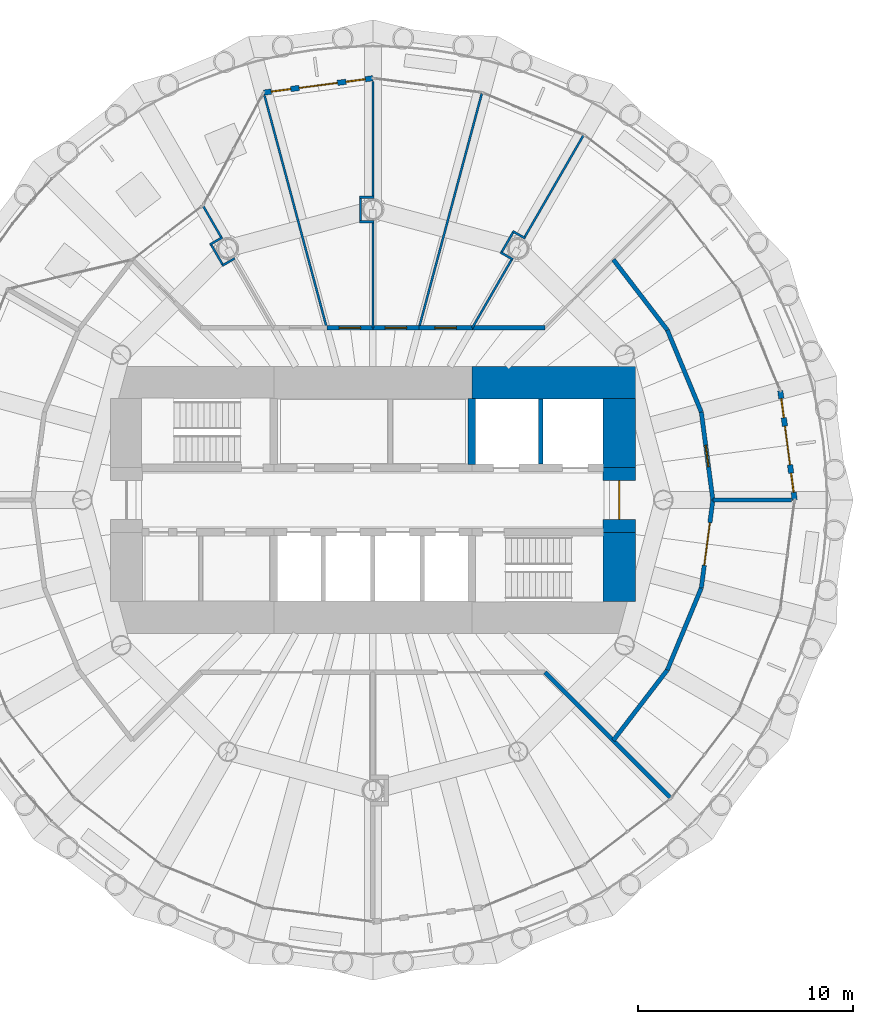
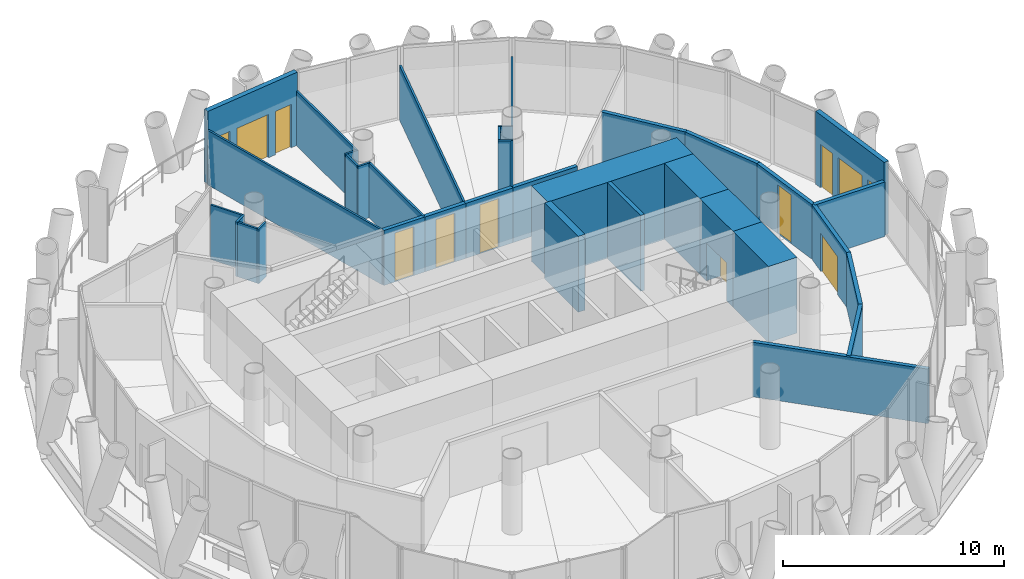
# One storey, part 10 of 14: 36 walls, 8 doors, 4 windows, 12 openings.
"""IFC4 building model written with IfcOpenShell, lengths in metres."""

from ifc_helpers import new_model, si_unit, direction, frame, frame_2d, origin, place, context, subcontext, project, spatial, rectangle, extrude, material, layer, layer_set, type_object, element, fill, save


model = new_model("IFC4")

# Units and contexts
model_context = context("Model", 3, precision=1e-05, world=origin(), true_north=direction((0.0, 1.0)))
body_context = subcontext(model_context, "Body", "Model", "MODEL_VIEW")
ifc_project = project(units=[si_unit("LENGTHUNIT", "METRE"), si_unit("AREAUNIT", "SQUARE_METRE"), si_unit("VOLUMEUNIT", "CUBIC_METRE"), si_unit("PLANEANGLEUNIT", "RADIAN"), si_unit("MASSUNIT", "GRAM", prefix="KILO")], contexts=[model_context])

# Site, building, storey
site_placement = place(None, origin())
site = spatial("IfcSite", under=ifc_project, at=site_placement, CompositionType="ELEMENT")
building_placement = place(site_placement, origin())
building = spatial("IfcBuilding", under=site, at=building_placement, Name="Qaws Media Tower", CompositionType="ELEMENT")
storey_placement = place(building_placement, frame((0.0, 0.0, 261.199951171875)))
storey = spatial("IfcBuildingStorey", under=building, at=storey_placement, Name="L60", CompositionType="ELEMENT", Elevation=261.199951171875)

# Wall, openings, door, windows
ifc_material_1 = material(Name="Precast concrete, exposed finish", Category="concrete")
ifc_layer_1 = layer(ifc_material_1, 0.25)
ifc_layer_set_1 = layer_set([ifc_layer_1], Name="Balcony door wall 250")
wall_type_1 = type_object("IfcWallType", Name="Balcony door wall 250", PredefinedType="SOLIDWALL", material=ifc_layer_set_1)
wall_1_placement = place(storey_placement, frame((79.60009765625, 50.0, 0.0), z_axis=(0.0, 0.0, 1.0), x_axis=(-0.130550788349, 0.991441622922, 0.0)))
wall_1 = element("IfcWall", 1, at=wall_1_placement, inside=storey, type_object=wall_type_1, Name="W279 EW1 balcony door wall L60-01", PredefinedType="SOLIDWALL", context=body_context, shape_type="SweptSolid", body=[
    extrude(rectangle(XDim=5.116455078125, YDim=0.25, at=frame_2d((2.55810546875, 0.0))), origin(), (0.0, 0.0, 1.0), 4.0400390625),
])
opening_1_placement = place(wall_1_placement, frame((1.658203125, 0.0, 0.0)))
opening_1 = element("IfcOpeningElement", 2, at=opening_1_placement, cuts=wall_1, Name="Opening D7", PredefinedType="OPENING", context=body_context, shape_type="SweptSolid", body=[
    extrude(rectangle(XDim=1.800048828125, YDim=2.39990234375, at=frame_2d((0.89990234375, 1.199951171875))), frame((0.0, 0.135009765625, 0.0), z_axis=(0.0, -1.0, 0.0), x_axis=(1.0, 0.0, 0.0)), (0.0, 0.0, 1.0), 0.27001953125),
])
opening_2_placement = place(wall_1_placement, frame((0.3583984375, 0.0, 0.0)))
opening_2 = element("IfcOpeningElement", 3, at=opening_2_placement, cuts=wall_1, Name="Opening W7", PredefinedType="OPENING", context=body_context, shape_type="SweptSolid", body=[
    extrude(rectangle(XDim=0.89990234375, YDim=2.39990234375, at=frame_2d((0.449951171875, 1.199951171875))), frame((0.0, 0.135009765625, 0.0), z_axis=(0.0, -1.0, 0.0), x_axis=(1.0, 0.0, 0.0)), (0.0, 0.0, 1.0), 0.27001953125),
])
opening_3_placement = place(wall_1_placement, frame((3.8583984375, 0.0, 0.0)))
opening_3 = element("IfcOpeningElement", 4, at=opening_3_placement, cuts=wall_1, Name="Opening W7", PredefinedType="OPENING", context=body_context, shape_type="SweptSolid", body=[
    extrude(rectangle(XDim=0.89990234375, YDim=2.39990234375, at=frame_2d((0.449951171875, 1.199951171875))), frame((0.0, 0.135009765625, 0.0), z_axis=(0.0, -1.0, 0.0), x_axis=(1.0, 0.0, 0.0)), (0.0, 0.0, 1.0), 0.27001953125),
])
ifc_material_2 = material(Name="Aluminium and clear glass", Category="aluminium")
door_type_1 = type_object("IfcDoorType", Name="Balcony door pair 1800", OperationType="DOUBLE_DOOR_SLIDING", PredefinedType="DOOR", material=ifc_material_2)
door_1_placement = place(opening_1_placement, origin())
door_1 = element("IfcDoor", 5, at=door_1_placement, inside=storey, type_object=door_type_1, Name="D7 balcony door L60-01 in wall W279", OperationType="DOUBLE_DOOR_SLIDING", OverallHeight=2.39990234375, OverallWidth=1.800048828125, PredefinedType="DOOR", context=body_context, shape_type="SweptSolid", body=[
    extrude(rectangle(XDim=1.800048828125, YDim=2.39990234375, at=frame_2d((0.89990234375, 1.199951171875))), frame((0.0, 0.02490234375, 0.0), z_axis=(0.0, -1.0, 0.0), x_axis=(1.0, 0.0, 0.0)), (0.0, 0.0, 1.0), 0.050048828125),
])
fill(opening_1, door_1)
ifc_material_3 = material(Name="Aluminium and clear glass", Category="aluminium")
window_type = type_object("IfcWindowType", Name="Balcony side window 900", PartitioningType="SINGLE_PANEL", PredefinedType="WINDOW", material=ifc_material_3)
window_1_placement = place(opening_2_placement, origin())
window_1 = element("IfcWindow", 6, at=window_1_placement, inside=storey, type_object=window_type, Name="W1 balcony side light L60-01L", OverallHeight=2.39990234375, OverallWidth=0.89990234375, PartitioningType="SINGLE_PANEL", PredefinedType="WINDOW", context=body_context, shape_type="SweptSolid", body=[
    extrude(rectangle(XDim=0.89990234375, YDim=2.39990234375, at=frame_2d((0.449951171875, 1.199951171875))), frame((0.0, 0.030029296875, 0.0), z_axis=(0.0, -1.0, 0.0), x_axis=(1.0, 0.0, 0.0)), (0.0, 0.0, 1.0), 0.06005859375),
])
fill(opening_2, window_1)
window_2_placement = place(opening_3_placement, origin())
window_2 = element("IfcWindow", 7, at=window_2_placement, inside=storey, type_object=window_type, Name="W1 balcony side light L60-01R", OverallHeight=2.39990234375, OverallWidth=0.89990234375, PartitioningType="SINGLE_PANEL", PredefinedType="WINDOW", context=body_context, shape_type="SweptSolid", body=[
    extrude(rectangle(XDim=0.89990234375, YDim=2.39990234375, at=frame_2d((0.449951171875, 1.199951171875))), frame((0.0, 0.030029296875, 0.0), z_axis=(0.0, -1.0, 0.0), x_axis=(1.0, 0.0, 0.0)), (0.0, 0.0, 1.0), 0.06005859375),
])
fill(opening_3, window_2)

wall_2_placement = place(storey_placement, frame((60.0, 69.60009765625, 0.0), z_axis=(0.0, 0.0, 1.0), x_axis=(-0.991441622922, -0.130550788349, 0.0)))
wall_2 = element("IfcWall", 8, at=wall_2_placement, inside=storey, type_object=wall_type_1, Name="W278 EW1 balcony door wall L60-07", PredefinedType="SOLIDWALL", context=body_context, shape_type="SweptSolid", body=[
    extrude(rectangle(XDim=5.116455078125, YDim=0.25, at=frame_2d((2.55810546875, 0.0))), origin(), (0.0, 0.0, 1.0), 4.0400390625),
])
opening_4_placement = place(wall_2_placement, frame((1.658203125, 0.0, 0.0)))
opening_4 = element("IfcOpeningElement", 9, at=opening_4_placement, cuts=wall_2, Name="Opening D7", PredefinedType="OPENING", context=body_context, shape_type="SweptSolid", body=[
    extrude(rectangle(XDim=1.800048828125, YDim=2.39990234375, at=frame_2d((0.89990234375, 1.199951171875))), frame((0.0, 0.135009765625, 0.0), z_axis=(0.0, -1.0, 0.0), x_axis=(1.0, 0.0, 0.0)), (0.0, 0.0, 1.0), 0.27001953125),
])
opening_5_placement = place(wall_2_placement, frame((0.3583984375, 0.0, 0.0)))
opening_5 = element("IfcOpeningElement", 10, at=opening_5_placement, cuts=wall_2, Name="Opening W7", PredefinedType="OPENING", context=body_context, shape_type="SweptSolid", body=[
    extrude(rectangle(XDim=0.89990234375, YDim=2.39990234375, at=frame_2d((0.449951171875, 1.199951171875))), frame((0.0, 0.135009765625, 0.0), z_axis=(0.0, -1.0, 0.0), x_axis=(1.0, 0.0, 0.0)), (0.0, 0.0, 1.0), 0.27001953125),
])
opening_6_placement = place(wall_2_placement, frame((3.8583984375, 0.0, 0.0)))
opening_6 = element("IfcOpeningElement", 11, at=opening_6_placement, cuts=wall_2, Name="Opening W7", PredefinedType="OPENING", context=body_context, shape_type="SweptSolid", body=[
    extrude(rectangle(XDim=0.89990234375, YDim=2.39990234375, at=frame_2d((0.449951171875, 1.199951171875))), frame((0.0, 0.135009765625, 0.0), z_axis=(0.0, -1.0, 0.0), x_axis=(1.0, 0.0, 0.0)), (0.0, 0.0, 1.0), 0.27001953125),
])
door_2_placement = place(opening_4_placement, origin())
door_2 = element("IfcDoor", 12, at=door_2_placement, inside=storey, type_object=door_type_1, Name="D7 balcony door L60-07 in wall W278", OperationType="DOUBLE_DOOR_SLIDING", OverallHeight=2.39990234375, OverallWidth=1.800048828125, PredefinedType="DOOR", context=body_context, shape_type="SweptSolid", body=[
    extrude(rectangle(XDim=1.800048828125, YDim=2.39990234375, at=frame_2d((0.89990234375, 1.199951171875))), frame((0.0, 0.02490234375, 0.0), z_axis=(0.0, -1.0, 0.0), x_axis=(1.0, 0.0, 0.0)), (0.0, 0.0, 1.0), 0.050048828125),
])
fill(opening_4, door_2)
window_3_placement = place(opening_5_placement, origin())
window_3 = element("IfcWindow", 13, at=window_3_placement, inside=storey, type_object=window_type, Name="W1 balcony side light L60-07L", OverallHeight=2.39990234375, OverallWidth=0.89990234375, PartitioningType="SINGLE_PANEL", PredefinedType="WINDOW", context=body_context, shape_type="SweptSolid", body=[
    extrude(rectangle(XDim=0.89990234375, YDim=2.39990234375, at=frame_2d((0.449951171875, 1.199951171875))), frame((0.0, 0.030029296875, 0.0), z_axis=(0.0, -1.0, 0.0), x_axis=(1.0, 0.0, 0.0)), (0.0, 0.0, 1.0), 0.06005859375),
])
fill(opening_5, window_3)
window_4_placement = place(opening_6_placement, origin())
window_4 = element("IfcWindow", 14, at=window_4_placement, inside=storey, type_object=window_type, Name="W1 balcony side light L60-07R", OverallHeight=2.39990234375, OverallWidth=0.89990234375, PartitioningType="SINGLE_PANEL", PredefinedType="WINDOW", context=body_context, shape_type="SweptSolid", body=[
    extrude(rectangle(XDim=0.89990234375, YDim=2.39990234375, at=frame_2d((0.449951171875, 1.199951171875))), frame((0.0, 0.030029296875, 0.0), z_axis=(0.0, -1.0, 0.0), x_axis=(1.0, 0.0, 0.0)), (0.0, 0.0, 1.0), 0.06005859375),
])
fill(opening_6, window_4)

# Walls
ifc_material_4 = material(Name="Concrete C60/75", Category="concrete")
ifc_layer_2 = layer(ifc_material_4, 0.35009765625)
ifc_layer_set_2 = layer_set([ifc_layer_2], Name="Core inner wall 350")
wall_type_2 = type_object("IfcWallType", Name="Core inner wall 350", PredefinedType="SHEAR", material=ifc_layer_set_2)
wall_3_placement = place(storey_placement, frame((64.60009765625, 51.655029296875, 0.0), z_axis=(0.0, 0.0, 1.0), x_axis=(0.0, 1.0, 0.0)))
element("IfcWall", 15, at=wall_3_placement, inside=storey, type_object=wall_type_2, Name="W309 SW5 core wall XNE L60", PredefinedType="SHEAR", context=body_context, shape_type="SweptSolid", body=[
    extrude(rectangle(XDim=3.06494140625, YDim=0.35009765625, at=frame_2d((1.532470703125, 0.0))), origin(), (0.0, 0.0, 1.0), 4.199951171875),
])
ifc_material_5 = material(Name="Concrete C60/75", Category="concrete")
ifc_layer_3 = layer(ifc_material_5, 1.5)
ifc_layer_set_3 = layer_set([ifc_layer_3], Name="Core wall 1500")
wall_type_3 = type_object("IfcWallType", Name="Core wall 1500", PredefinedType="SHEAR", material=ifc_layer_set_3)
wall_4_placement = place(storey_placement, frame((64.60009765625, 55.449951171875, 0.0), z_axis=(0.0, 0.0, 1.0), x_axis=(1.0, 0.0, 0.0)))
element("IfcWall", 16, at=wall_4_placement, inside=storey, type_object=wall_type_3, Name="W382 SW13 core wall NE L60", PredefinedType="SHEAR", context=body_context, shape_type="SweptSolid", body=[
    extrude(rectangle(XDim=7.599853515625, YDim=1.5, at=frame_2d((3.7998046875, 0.0))), origin(), (0.0, 0.0, 1.0), 4.199951171875),
])
wall_5_placement = place(storey_placement, frame((71.449951171875, 45.280029296875, 0.0), z_axis=(0.0, 0.0, 1.0), x_axis=(0.0, 1.0, 0.0)))
element("IfcWall", 17, at=wall_5_placement, inside=storey, type_object=wall_type_3, Name="W383 SW13 core wall ES L60", PredefinedType="SHEAR", context=body_context, shape_type="SweptSolid", body=[
    extrude(rectangle(XDim=3.219970703125, YDim=1.5, at=frame_2d((1.60986328125, 0.0))), origin(), (0.0, 0.0, 1.0), 4.199951171875),
])

# Wall, opening, door
wall_6_placement = place(storey_placement, frame((71.449951171875, 48.5, 0.0), z_axis=(0.0, 0.0, 1.0), x_axis=(0.0, 1.0, 0.0)))
wall_6 = element("IfcWall", 18, at=wall_6_placement, inside=storey, type_object=wall_type_3, Name="W384 SW13 core wall E L60", PredefinedType="SHEAR", context=body_context, shape_type="SweptSolid", body=[
    extrude(rectangle(XDim=3.0, YDim=1.5, at=frame_2d((1.5, 0.0))), origin(), (0.0, 0.0, 1.0), 4.199951171875),
])
opening_7_placement = place(wall_6_placement, frame((0.60009765625, 0.0, 0.0)))
opening_7 = element("IfcOpeningElement", 19, at=opening_7_placement, cuts=wall_6, Name="Opening D2", PredefinedType="OPENING", context=body_context, shape_type="SweptSolid", body=[
    extrude(rectangle(XDim=1.800048828125, YDim=2.10009765625, at=frame_2d((0.89990234375, 1.050048828125))), frame((0.0, 0.760009765625, 0.0), z_axis=(0.0, -1.0, 0.0), x_axis=(1.0, 0.0, 0.0)), (0.0, 0.0, 1.0), 1.52001953125),
])
ifc_material_6 = material(Name="Steel and glass, fire rated", Category="steel")
door_type_2 = type_object("IfcDoorType", Name="Lobby door pair 1800 FD60", OperationType="DOUBLE_DOOR_DOUBLE_SWING", PredefinedType="DOOR", material=ifc_material_6)
door_3_placement = place(opening_7_placement, origin())
door_3 = element("IfcDoor", 20, at=door_3_placement, inside=storey, type_object=door_type_2, Name="D2 core lobby door E L60 in wall W384", OperationType="DOUBLE_DOOR_DOUBLE_SWING", OverallHeight=2.10009765625, OverallWidth=1.800048828125, PredefinedType="DOOR", context=body_context, shape_type="SweptSolid", body=[
    extrude(rectangle(XDim=1.800048828125, YDim=2.10009765625, at=frame_2d((0.89990234375, 1.050048828125))), frame((0.0, 0.02490234375, 0.0), z_axis=(0.0, -1.0, 0.0), x_axis=(1.0, 0.0, 0.0)), (0.0, 0.0, 1.0), 0.050048828125),
])
fill(opening_7, door_3)

# Walls
wall_7_placement = place(storey_placement, frame((71.449951171875, 51.5, 0.0), z_axis=(0.0, 0.0, 1.0), x_axis=(0.0, 1.0, 0.0)))
element("IfcWall", 21, at=wall_7_placement, inside=storey, type_object=wall_type_3, Name="W385 SW13 core wall EN L60", PredefinedType="SHEAR", context=body_context, shape_type="SweptSolid", body=[
    extrude(rectangle(XDim=3.219970703125, YDim=1.5, at=frame_2d((1.60986328125, 0.0))), origin(), (0.0, 0.0, 1.0), 4.199951171875),
])
ifc_material_7 = material(Name="Gypsum board on 70 metal studs, single layer each side", Category="gypsum")
ifc_layer_4 = layer(ifc_material_7, 0.10009765625)
ifc_layer_set_4 = layer_set([ifc_layer_4], Name="Office stud partition 100")
wall_type_4 = type_object("IfcWallType", Name="Office stud partition 100", PredefinedType="PARTITIONING", material=ifc_layer_set_4)
for number, where, z_axis, x_axis, name in (
    (22, (66.509765625, 61.17529296875, 0.0), (0.0, 0.0, 1.0), (-0.865903257996, 0.500211503058, 0.0), "W710 IW4 partition return L60"),
    (23, (67.076904296875, 62.157470703125, 0.0), (0.0, 0.0, 1.0), (-0.866149564305, 0.499784885981, 0.0), "W712 IW4 partition return L60"),
):
    element("IfcWall", number, at=place(storey_placement, frame(where, z_axis=z_axis, x_axis=x_axis)), inside=storey, type_object=wall_type_4, Name=name, PredefinedType="PARTITIONING", context=body_context, shape_type="SweptSolid", body=[
        extrude(rectangle(XDim=0.677001953125, YDim=0.10009765625, at=frame_2d((0.33837890625, 0.0))), origin(), (0.0, 0.0, 1.0), 3.02001953125),
    ])
wall_8_placement = place(storey_placement, frame((65.99169921875, 61.531982421875, 0.0), z_axis=(0.0, 0.0, 1.0), x_axis=(0.500049439734, 0.865996857859, 0.0)))
element("IfcWall", 24, at=wall_8_placement, inside=storey, type_object=wall_type_4, Name="W709 IW4 partition return L60", PredefinedType="PARTITIONING", context=body_context, shape_type="SweptSolid", body=[
    extrude(rectangle(XDim=1.0341796875, YDim=0.10009765625, at=frame_2d((0.51708984375, 0.0))), origin(), (0.0, 0.0, 1.0), 3.02001953125),
])
wall_9_placement = place(storey_placement, frame((64.6201171875, 58.002197265625, 0.0), z_axis=(0.0, 0.0, 1.0), x_axis=(0.499973852758, 0.866040499375, 0.0)))
element("IfcWall", 25, at=wall_9_placement, inside=storey, type_object=wall_type_4, Name="W708 IW4 partition L60", PredefinedType="PARTITIONING", context=body_context, shape_type="SweptSolid", body=[
    extrude(rectangle(XDim=3.642822265625, YDim=0.10009765625, at=frame_2d((1.8212890625, 0.0))), origin(), (0.0, 0.0, 1.0), 3.0400390625),
])
wall_10_placement = place(storey_placement, frame((67.05859375, 62.2255859375, 0.0), z_axis=(0.0, 0.0, 1.0), x_axis=(0.499983886315, 0.866034706825, 0.0)))
element("IfcWall", 26, at=wall_10_placement, inside=storey, type_object=wall_type_4, Name="W711 IW4 partition L60", PredefinedType="PARTITIONING", context=body_context, shape_type="SweptSolid", body=[
    extrude(rectangle(XDim=5.443115234375, YDim=0.10009765625, at=frame_2d((2.7216796875, 0.0))), origin(), (0.0, 0.0, 1.0), 3.02001953125),
])
wall_11_placement = place(storey_placement, frame((62.14306640625, 57.997802734375, 0.0), z_axis=(0.0, 0.0, 1.0), x_axis=(0.258812895948, 0.965927473929, 0.0)))
element("IfcWall", 27, at=wall_11_placement, inside=storey, type_object=wall_type_4, Name="W707 IW4 partition L60", PredefinedType="PARTITIONING", context=body_context, shape_type="SweptSolid", body=[
    extrude(rectangle(XDim=11.280029296875, YDim=0.10009765625, at=frame_2d((5.64013671875, 0.0))), origin(), (0.0, 0.0, 1.0), 3.02001953125),
])
for number, where, z_axis, x_axis, name in (
    (28, (60.050048828125, 62.93310546875, 0.0), (0.0, 0.0, 1.0), (-1.0, 0.0, 0.0), "W705 IW4 partition return L60"),
    (29, (60.050048828125, 64.06689453125, 0.0), (0.0, 0.0, 1.0), (-1.0, 0.0, 0.0), "W706 IW4 partition return L60"),
):
    element("IfcWall", number, at=place(storey_placement, frame(where, z_axis=z_axis, x_axis=x_axis)), inside=storey, type_object=wall_type_4, Name=name, PredefinedType="PARTITIONING", context=body_context, shape_type="SweptSolid", body=[
        extrude(rectangle(XDim=0.677001953125, YDim=0.10009765625, at=frame_2d((0.33837890625, 0.0))), origin(), (0.0, 0.0, 1.0), 3.02001953125),
    ])
wall_12_placement = place(storey_placement, frame((59.423095703125, 62.98291015625, 0.0), z_axis=(0.0, 0.0, 1.0), x_axis=(0.0, 1.0, 0.0)))
element("IfcWall", 30, at=wall_12_placement, inside=storey, type_object=wall_type_4, Name="W702 IW4 partition return L60", PredefinedType="PARTITIONING", context=body_context, shape_type="SweptSolid", body=[
    extrude(rectangle(XDim=1.0341796875, YDim=0.10009765625, at=frame_2d((0.51708984375, 0.0))), origin(), (0.0, 0.0, 1.0), 3.02001953125),
])
wall_13_placement = place(storey_placement, frame((60.0, 58.0, 0.0), z_axis=(0.0, 0.0, 1.0), x_axis=(0.0, 1.0, 0.0)))
element("IfcWall", 31, at=wall_13_placement, inside=storey, type_object=wall_type_4, Name="W703 IW4 partition L60", PredefinedType="PARTITIONING", context=body_context, shape_type="SweptSolid", body=[
    extrude(rectangle(XDim=4.883056640625, YDim=0.10009765625, at=frame_2d((2.44140625, 0.0))), origin(), (0.0, 0.0, 1.0), 3.0400390625),
])
wall_14_placement = place(storey_placement, frame((60.0, 64.116943359375, 0.0), z_axis=(0.0, 0.0, 1.0), x_axis=(0.0, 1.0, 0.0)))
element("IfcWall", 32, at=wall_14_placement, inside=storey, type_object=wall_type_4, Name="W704 IW4 partition L60", PredefinedType="PARTITIONING", context=body_context, shape_type="SweptSolid", body=[
    extrude(rectangle(XDim=5.343017578125, YDim=0.10009765625, at=frame_2d((2.67138671875, 0.0))), origin(), (0.0, 0.0, 1.0), 3.02001953125),
])
wall_15_placement = place(storey_placement, frame((57.85693359375, 57.997802734375, 0.0), z_axis=(0.0, 0.0, 1.0), x_axis=(-0.258815038901, 0.965926899739, 0.0)))
element("IfcWall", 33, at=wall_15_placement, inside=storey, type_object=wall_type_4, Name="W701 IW4 partition L60", PredefinedType="PARTITIONING", context=body_context, shape_type="SweptSolid", body=[
    extrude(rectangle(XDim=11.179931640625, YDim=0.10009765625, at=frame_2d((5.58984375, 0.0))), origin(), (0.0, 0.0, 1.0), 3.02001953125),
])
wall_16_placement = place(storey_placement, frame((53.576904296875, 61.225341796875, 0.0), z_axis=(0.0, 0.0, 1.0), x_axis=(-0.865993452726, -0.500055336774, 0.0)))
element("IfcWall", 34, at=wall_16_placement, inside=storey, type_object=wall_type_4, Name="W699 IW4 partition return L60", PredefinedType="PARTITIONING", context=body_context, shape_type="SweptSolid", body=[
    extrude(rectangle(XDim=0.67724609375, YDim=0.10009765625, at=frame_2d((0.338623046875, 0.0))), origin(), (0.0, 0.0, 1.0), 3.02001953125),
])
wall_17_placement = place(storey_placement, frame((53.009765625, 62.20751953125, 0.0), z_axis=(0.0, 0.0, 1.0), x_axis=(-0.865903257996, -0.500211503058, 0.0)))
element("IfcWall", 35, at=wall_17_placement, inside=storey, type_object=wall_type_4, Name="W698 IW4 partition return L60", PredefinedType="PARTITIONING", context=body_context, shape_type="SweptSolid", body=[
    extrude(rectangle(XDim=0.677001953125, YDim=0.10009765625, at=frame_2d((0.33837890625, 0.0))), origin(), (0.0, 0.0, 1.0), 3.02001953125),
])
wall_18_placement = place(storey_placement, frame((53.0087890625, 60.955078125, 0.0), z_axis=(0.0, 0.0, 1.0), x_axis=(-0.500049439734, 0.865996857859, 0.0)))
element("IfcWall", 36, at=wall_18_placement, inside=storey, type_object=wall_type_4, Name="W697 IW4 partition return L60", PredefinedType="PARTITIONING", context=body_context, shape_type="SweptSolid", body=[
    extrude(rectangle(XDim=1.0341796875, YDim=0.10009765625, at=frame_2d((0.51708984375, 0.0))), origin(), (0.0, 0.0, 1.0), 3.02001953125),
])
wall_19_placement = place(storey_placement, frame((52.94140625, 62.2255859375, 0.0), z_axis=(0.0, 0.0, 1.0), x_axis=(-0.499846793097, 0.866113839764, 0.0)))
element("IfcWall", 37, at=wall_19_placement, inside=storey, type_object=wall_type_4, Name="W696 IW4 partition L60", PredefinedType="PARTITIONING", context=body_context, shape_type="SweptSolid", body=[
    extrude(rectangle(XDim=1.64306640625, YDim=0.10009765625, at=frame_2d((0.821533203125, 0.0))), origin(), (0.0, 0.0, 1.0), 3.02001953125),
])

# Wall, opening, door
ifc_material_8 = material(Name="Gypsum board on galvanised metal studs, acoustic double stud, deflection head", Category="gypsum")
ifc_layer_5 = layer(ifc_material_8, 0.199951171875)
ifc_layer_set_5 = layer_set([ifc_layer_5], Name="Room partition 200")
wall_type_5 = type_object("IfcWallType", Name="Room partition 200", PredefinedType="PARTITIONING", material=ifc_layer_set_5)
wall_20_placement = place(storey_placement, frame((57.8564453125, 58.0, 0.0), z_axis=(0.0, 0.0, 1.0), x_axis=(1.0, 0.0, 0.0)))
wall_20 = element("IfcWall", 38, at=wall_20_placement, inside=storey, type_object=wall_type_5, Name="W1719 IW3 partition L60", PredefinedType="PARTITIONING", context=body_context, shape_type="SweptSolid", body=[
    extrude(rectangle(XDim=2.1435546875, YDim=0.199951171875, at=frame_2d((1.07177734375, 0.0))), origin(), (0.0, 0.0, 1.0), 3.0400390625),
])
opening_8_placement = place(wall_20_placement, frame((0.57177734375, 0.0, 0.0)))
opening_8 = element("IfcOpeningElement", 39, at=opening_8_placement, cuts=wall_20, Name="Opening D21", PredefinedType="OPENING", context=body_context, shape_type="SweptSolid", body=[
    extrude(rectangle(XDim=1.0, YDim=2.699951171875, at=frame_2d((0.5, 1.35009765625))), frame((0.0, 0.10986328125, 0.0), z_axis=(0.0, -1.0, 0.0), x_axis=(1.0, 0.0, 0.0)), (0.0, 0.0, 1.0), 0.219970703125),
])
ifc_material_9 = material(Name="Timber veneered, full height, acoustic seals", Category="wood")
door_type_3 = type_object("IfcDoorType", Name="Executive door 1000x2700", OperationType="SINGLE_SWING_LEFT", PredefinedType="DOOR", material=ifc_material_9)
door_4_placement = place(opening_8_placement, origin())
door_4 = element("IfcDoor", 40, at=door_4_placement, inside=storey, type_object=door_type_3, Name="D21 Executive office door L60 in wall W1719", OperationType="SINGLE_SWING_LEFT", OverallHeight=2.699951171875, OverallWidth=1.0, PredefinedType="DOOR", context=body_context, shape_type="SweptSolid", body=[
    extrude(rectangle(XDim=1.0, YDim=2.699951171875, at=frame_2d((0.5, 1.35009765625))), frame((0.0, 0.02490234375, 0.0), z_axis=(0.0, -1.0, 0.0), x_axis=(1.0, 0.0, 0.0)), (0.0, 0.0, 1.0), 0.050048828125),
])
fill(opening_8, door_4)

wall_21_placement = place(storey_placement, frame((60.0, 58.0, 0.0), z_axis=(0.0, 0.0, 1.0), x_axis=(1.0, 0.0, 0.0)))
wall_21 = element("IfcWall", 41, at=wall_21_placement, inside=storey, type_object=wall_type_5, Name="W1723 IW3 partition L60", PredefinedType="PARTITIONING", context=body_context, shape_type="SweptSolid", body=[
    extrude(rectangle(XDim=2.1435546875, YDim=0.199951171875, at=frame_2d((1.07177734375, 0.0))), origin(), (0.0, 0.0, 1.0), 3.0400390625),
])
opening_9_placement = place(wall_21_placement, frame((0.57177734375, 0.0, 0.0)))
opening_9 = element("IfcOpeningElement", 42, at=opening_9_placement, cuts=wall_21, Name="Opening D21", PredefinedType="OPENING", context=body_context, shape_type="SweptSolid", body=[
    extrude(rectangle(XDim=1.0, YDim=2.699951171875, at=frame_2d((0.5, 1.35009765625))), frame((0.0, 0.10986328125, 0.0), z_axis=(0.0, -1.0, 0.0), x_axis=(1.0, 0.0, 0.0)), (0.0, 0.0, 1.0), 0.219970703125),
])
door_5_placement = place(opening_9_placement, origin())
door_5 = element("IfcDoor", 43, at=door_5_placement, inside=storey, type_object=door_type_3, Name="D21 Executive office door L60 in wall W1723", OperationType="SINGLE_SWING_LEFT", OverallHeight=2.699951171875, OverallWidth=1.0, PredefinedType="DOOR", context=body_context, shape_type="SweptSolid", body=[
    extrude(rectangle(XDim=1.0, YDim=2.699951171875, at=frame_2d((0.5, 1.35009765625))), frame((0.0, 0.02490234375, 0.0), z_axis=(0.0, -1.0, 0.0), x_axis=(1.0, 0.0, 0.0)), (0.0, 0.0, 1.0), 0.050048828125),
])
fill(opening_9, door_5)

wall_22_placement = place(storey_placement, frame((62.1435546875, 58.0, 0.0), z_axis=(0.0, 0.0, 1.0), x_axis=(1.0, 0.0, 0.0)))
wall_22 = element("IfcWall", 44, at=wall_22_placement, inside=storey, type_object=wall_type_5, Name="W1725 IW3 partition L60", PredefinedType="PARTITIONING", context=body_context, shape_type="SweptSolid", body=[
    extrude(rectangle(XDim=2.475341796875, YDim=0.199951171875, at=frame_2d((1.23779296875, 0.0))), origin(), (0.0, 0.0, 1.0), 3.0400390625),
])
opening_10_placement = place(wall_22_placement, frame((0.737548828125, 0.0, 0.0)))
opening_10 = element("IfcOpeningElement", 45, at=opening_10_placement, cuts=wall_22, Name="Opening D21", PredefinedType="OPENING", context=body_context, shape_type="SweptSolid", body=[
    extrude(rectangle(XDim=1.0, YDim=2.699951171875, at=frame_2d((0.5, 1.35009765625))), frame((0.0, 0.10986328125, 0.0), z_axis=(0.0, -1.0, 0.0), x_axis=(1.0, 0.0, 0.0)), (0.0, 0.0, 1.0), 0.219970703125),
])
door_6_placement = place(opening_10_placement, origin())
door_6 = element("IfcDoor", 46, at=door_6_placement, inside=storey, type_object=door_type_3, Name="D21 Executive office door L60 in wall W1725", OperationType="SINGLE_SWING_LEFT", OverallHeight=2.699951171875, OverallWidth=1.0, PredefinedType="DOOR", context=body_context, shape_type="SweptSolid", body=[
    extrude(rectangle(XDim=1.0, YDim=2.699951171875, at=frame_2d((0.5, 1.35009765625))), frame((0.0, 0.02490234375, 0.0), z_axis=(0.0, -1.0, 0.0), x_axis=(1.0, 0.0, 0.0)), (0.0, 0.0, 1.0), 0.050048828125),
])
fill(opening_10, door_6)

# Walls
wall_23_placement = place(storey_placement, frame((64.618896484375, 58.0, 0.0), z_axis=(0.0, 0.0, 1.0), x_axis=(1.0, 0.0, 0.0)))
element("IfcWall", 47, at=wall_23_placement, inside=storey, type_object=wall_type_5, Name="W1726 IW3 partition L60", PredefinedType="PARTITIONING", context=body_context, shape_type="SweptSolid", body=[
    extrude(rectangle(XDim=3.381103515625, YDim=0.199951171875, at=frame_2d((1.6904296875, 0.0))), origin(), (0.0, 0.0, 1.0), 3.0400390625),
])
wall_24_placement = place(storey_placement, frame((71.17236328125, 61.17236328125, 0.0), z_axis=(0.0, 0.0, 1.0), x_axis=(0.608714823874, -0.793389099494, 0.0)))
element("IfcWall", 48, at=wall_24_placement, inside=storey, type_object=wall_type_5, Name="W1729 IW3 partition L60", PredefinedType="PARTITIONING", context=body_context, shape_type="SweptSolid", body=[
    extrude(rectangle(XDim=4.124755859375, YDim=0.199951171875, at=frame_2d((2.0625, 0.0))), origin(), (0.0, 0.0, 1.0), 3.02001953125),
])
wall_25_placement = place(storey_placement, frame((73.68310546875, 57.89990234375, 0.0), z_axis=(0.0, 0.0, 1.0), x_axis=(0.382731667114, -0.923859551549, 0.0)))
element("IfcWall", 49, at=wall_25_placement, inside=storey, type_object=wall_type_5, Name="W1731 IW3 partition L60", PredefinedType="PARTITIONING", context=body_context, shape_type="SweptSolid", body=[
    extrude(rectangle(XDim=4.12451171875, YDim=0.199951171875, at=frame_2d((2.062255859375, 0.0))), origin(), (0.0, 0.0, 1.0), 3.02001953125),
])

# Wall, opening, door
wall_26_placement = place(storey_placement, frame((75.26171875, 54.08935546875, 0.0), z_axis=(0.0, 0.0, 1.0), x_axis=(0.130515758099, -0.991446234996, 0.0)))
wall_26 = element("IfcWall", 50, at=wall_26_placement, inside=storey, type_object=wall_type_5, Name="W1733 IW3 partition L60", PredefinedType="PARTITIONING", context=body_context, shape_type="SweptSolid", body=[
    extrude(rectangle(XDim=4.124755859375, YDim=0.199951171875, at=frame_2d((2.0625, 0.0))), origin(), (0.0, 0.0, 1.0), 3.02001953125),
])
opening_11_placement = place(wall_26_placement, frame((1.562255859375, 0.0, 0.0)))
opening_11 = element("IfcOpeningElement", 51, at=opening_11_placement, cuts=wall_26, Name="Opening D21", PredefinedType="OPENING", context=body_context, shape_type="SweptSolid", body=[
    extrude(rectangle(XDim=1.0, YDim=2.699951171875, at=frame_2d((0.5, 1.35009765625))), frame((0.0, 0.10986328125, 0.0), z_axis=(0.0, -1.0, 0.0), x_axis=(1.0, 0.0, 0.0)), (0.0, 0.0, 1.0), 0.219970703125),
])
door_7_placement = place(opening_11_placement, origin())
door_7 = element("IfcDoor", 52, at=door_7_placement, inside=storey, type_object=door_type_3, Name="D21 Chairman's office door L60 in wall W1733", OperationType="SINGLE_SWING_LEFT", OverallHeight=2.699951171875, OverallWidth=1.0, PredefinedType="DOOR", context=body_context, shape_type="SweptSolid", body=[
    extrude(rectangle(XDim=1.0, YDim=2.699951171875, at=frame_2d((0.5, 1.35009765625))), frame((0.0, 0.02490234375, 0.0), z_axis=(0.0, -1.0, 0.0), x_axis=(1.0, 0.0, 0.0)), (0.0, 0.0, 1.0), 0.050048828125),
])
fill(opening_11, door_7)

wall_27_placement = place(storey_placement, frame((75.800048828125, 50.0, 0.0), z_axis=(0.0, 0.0, 1.0), x_axis=(-0.130515758099, -0.991446234996, 0.0)))
wall_27 = element("IfcWall", 53, at=wall_27_placement, inside=storey, type_object=wall_type_5, Name="W1734 IW3 partition L60", PredefinedType="PARTITIONING", context=body_context, shape_type="SweptSolid", body=[
    extrude(rectangle(XDim=4.124755859375, YDim=0.199951171875, at=frame_2d((2.0625, 0.0))), origin(), (0.0, 0.0, 1.0), 3.02001953125),
])
opening_12_placement = place(wall_27_placement, frame((1.062255859375, 0.0, 0.0)))
opening_12 = element("IfcOpeningElement", 54, at=opening_12_placement, cuts=wall_27, Name="Opening D6", PredefinedType="OPENING", context=body_context, shape_type="SweptSolid", body=[
    extrude(rectangle(XDim=2.0, YDim=2.10009765625, at=frame_2d((1.0, 1.050048828125))), frame((0.0, 0.10986328125, 0.0), z_axis=(0.0, -1.0, 0.0), x_axis=(1.0, 0.0, 0.0)), (0.0, 0.0, 1.0), 0.219970703125),
])
ifc_material_10 = material(Name="Steel, acoustic, fire rated", Category="steel")
door_type_4 = type_object("IfcDoorType", Name="Room door pair 2000", OperationType="DOUBLE_DOOR_DOUBLE_SWING", PredefinedType="DOOR", material=ifc_material_10)
door_8_placement = place(opening_12_placement, origin())
door_8 = element("IfcDoor", 55, at=door_8_placement, inside=storey, type_object=door_type_4, Name="D6 Executive sitting room door L60 in wall W1734", OperationType="DOUBLE_DOOR_DOUBLE_SWING", OverallHeight=2.10009765625, OverallWidth=2.0, PredefinedType="DOOR", context=body_context, shape_type="SweptSolid", body=[
    extrude(rectangle(XDim=2.0, YDim=2.10009765625, at=frame_2d((1.0, 1.050048828125))), frame((0.0, 0.02490234375, 0.0), z_axis=(0.0, -1.0, 0.0), x_axis=(1.0, 0.0, 0.0)), (0.0, 0.0, 1.0), 0.050048828125),
])
fill(opening_12, door_8)

# Walls
wall_28_placement = place(storey_placement, frame((75.26171875, 45.91064453125, 0.0), z_axis=(0.0, 0.0, 1.0), x_axis=(-0.382731667114, -0.923859551549, 0.0)))
element("IfcWall", 56, at=wall_28_placement, inside=storey, type_object=wall_type_5, Name="W1732 IW3 partition L60", PredefinedType="PARTITIONING", context=body_context, shape_type="SweptSolid", body=[
    extrude(rectangle(XDim=4.12451171875, YDim=0.199951171875, at=frame_2d((2.062255859375, 0.0))), origin(), (0.0, 0.0, 1.0), 3.02001953125),
])
wall_29_placement = place(storey_placement, frame((73.68310546875, 42.10009765625, 0.0), z_axis=(0.0, 0.0, 1.0), x_axis=(-0.608714823874, -0.793389099494, 0.0)))
element("IfcWall", 57, at=wall_29_placement, inside=storey, type_object=wall_type_5, Name="W1730 IW3 partition L60", PredefinedType="PARTITIONING", context=body_context, shape_type="SweptSolid", body=[
    extrude(rectangle(XDim=4.124755859375, YDim=0.199951171875, at=frame_2d((2.0625, 0.0))), origin(), (0.0, 0.0, 1.0), 3.02001953125),
])
wall_30_placement = place(storey_placement, frame((75.800048828125, 50.0, 0.0), z_axis=(0.0, 0.0, 1.0), x_axis=(1.0, 0.0, 0.0)))
element("IfcWall", 58, at=wall_30_placement, inside=storey, type_object=wall_type_5, Name="W1735 IW3 partition L60", PredefinedType="PARTITIONING", context=body_context, shape_type="SweptSolid", body=[
    extrude(rectangle(XDim=3.659912109375, YDim=0.199951171875, at=frame_2d((1.830078125, 0.0))), origin(), (0.0, 0.0, 1.0), 3.02001953125),
])
wall_31_placement = place(storey_placement, frame((68.0, 42.0, 0.0), z_axis=(0.0, 0.0, 1.0), x_axis=(0.707106781187, -0.707106781187, 0.0)))
element("IfcWall", 59, at=wall_31_placement, inside=storey, type_object=wall_type_5, Name="W1728 IW3 partition L60", PredefinedType="PARTITIONING", context=body_context, shape_type="SweptSolid", body=[
    extrude(rectangle(XDim=8.246337890625, YDim=0.199951171875, at=frame_2d((4.123046875, 0.0))), origin(), (0.0, 0.0, 1.0), 3.02001953125),
])
ifc_material_11 = material(Name="Fire-rated gypsum board shaft wall on galvanised metal studs, deflection head", Category="gypsum")
ifc_layer_6 = layer(ifc_material_11, 0.199951171875)
ifc_layer_set_6 = layer_set([ifc_layer_6], Name="Shaft wall 200")
wall_type_6 = type_object("IfcWallType", Name="Shaft wall 200", PredefinedType="PARTITIONING", material=ifc_layer_set_6)
wall_32_placement = place(storey_placement, frame((67.800048828125, 51.675048828125, 0.0), z_axis=(0.0, 0.0, 1.0), x_axis=(0.0, 1.0, 0.0)))
element("IfcWall", 60, at=wall_32_placement, inside=storey, type_object=wall_type_6, Name="W1874 IW1 shaft wall FL L60", PredefinedType="PARTITIONING", context=body_context, shape_type="SweptSolid", body=[
    extrude(rectangle(XDim=3.02490234375, YDim=0.199951171875, at=frame_2d((1.512451171875, 0.0))), origin(), (0.0, 0.0, 1.0), 4.199951171875),
])

save(model, "model.ifc")
